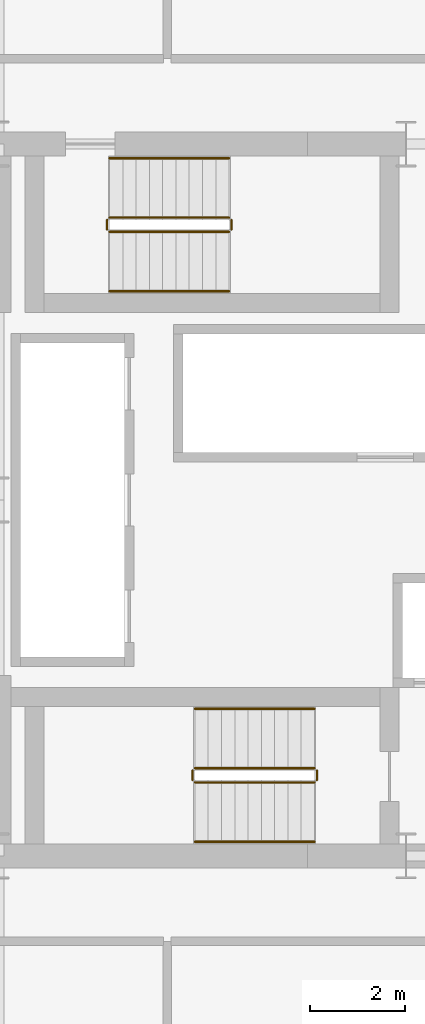
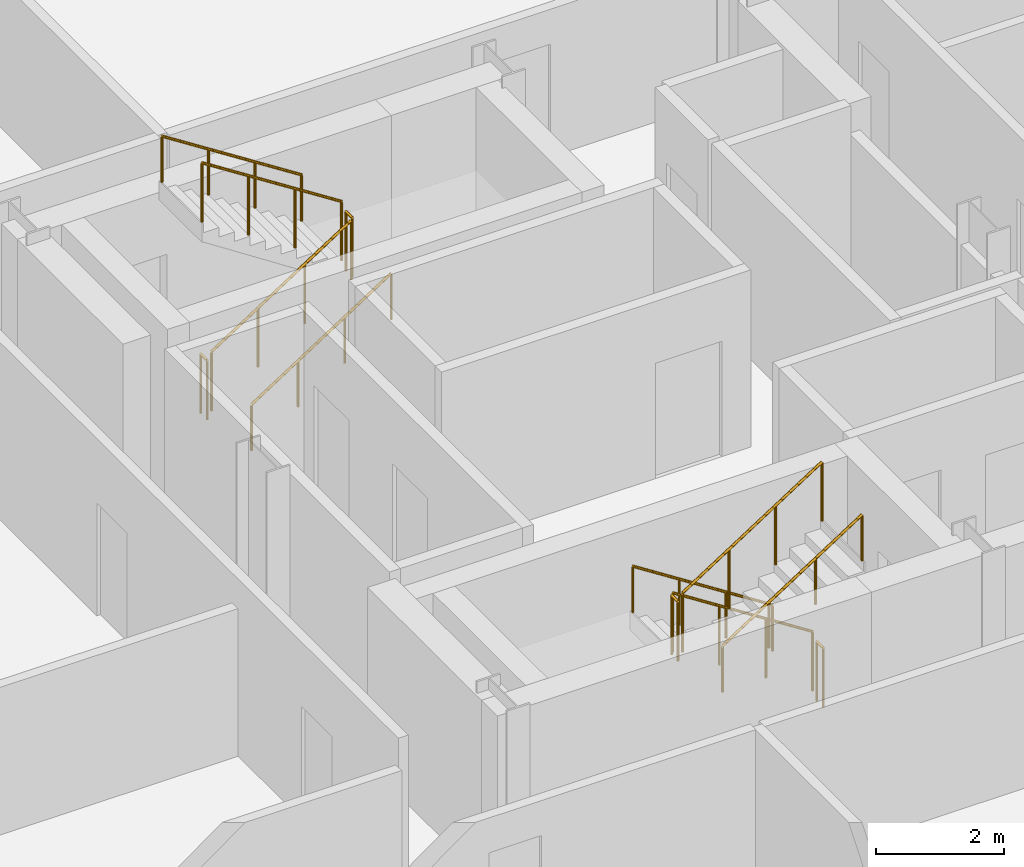
# One storey, part 25 of 26: 12 railings.
"""IFC4 building model written with IfcOpenShell, lengths in metres."""

from ifc_helpers import new_model, si_unit, direction, frame, origin, origin_2d, place, context, subcontext, project, spatial, circle, extrude, material, type_object, element, save


model = new_model("IFC4")

# Units and contexts
model_context = context("Model", 3, precision=1e-05, world=origin(), true_north=direction((0.0, 1.0)))
body_context = subcontext(model_context, "Body", "Model", "MODEL_VIEW")
ifc_project = project(units=[si_unit("LENGTHUNIT", "METRE"), si_unit("AREAUNIT", "SQUARE_METRE"), si_unit("VOLUMEUNIT", "CUBIC_METRE"), si_unit("PLANEANGLEUNIT", "RADIAN"), si_unit("MASSUNIT", "GRAM", prefix="KILO")], contexts=[model_context])

# Site, building, storey
site_placement = place(None, origin())
site = spatial("IfcSite", under=ifc_project, at=site_placement, CompositionType="ELEMENT")
building_placement = place(site_placement, origin())
building = spatial("IfcBuilding", under=site, at=building_placement, Name="Barlavira Tower and Art Museum", CompositionType="ELEMENT")
storey_placement = place(building_placement, frame((0.0, 0.0, 82.800048828125)))
storey = spatial("IfcBuildingStorey", under=building, at=storey_placement, Name="L20", CompositionType="ELEMENT", Elevation=82.800048828125)

# Railings
ifc_material = material(Name="Brushed stainless steel", Category="steel")
railing_type_1 = type_object("IfcRailingType", Name="Interior Void and Landing Guard Railing 1150", PredefinedType="GUARDRAIL", material=ifc_material)
railing_1_placement = place(storey_placement, frame((0.14990234375, -5.64990234375, 0.179931640625)))
element("IfcRailing", 1, at=railing_1_placement, inside=storey, type_object=railing_type_1, Name="L20 ST-T1 stair guard 1", PredefinedType="GUARDRAIL", context=body_context, shape_type="SweptSolid", body=[
    extrude(circle(Radius=0.02392578125, at=origin_2d()), frame((0.0, 0.0, 1.1259765625), z_axis=(-0.841162588446, 0.0, 0.540782303519), x_axis=(0.0, -1.0, 0.0)), (0.0, 0.0, 1.0), 2.995849609375),
    extrude(circle(Radius=0.02099609375, at=origin_2d()), origin(), (0.0, 0.0, 1.0), 1.101806640625),
    extrude(circle(Radius=0.02099609375, at=origin_2d()), frame((-0.840087890625, 0.0, 0.5400390625)), (0.0, 0.0, 1.0), 1.101806640625),
    extrude(circle(Radius=0.02099609375, at=origin_2d()), frame((-1.679931640625, 0.0, 1.080078125)), (0.0, 0.0, 1.0), 1.101806640625),
    extrude(circle(Radius=0.02099609375, at=origin_2d()), frame((-2.52001953125, 0.0, 1.6201171875)), (0.0, 0.0, 1.0), 1.101806640625),
])
railing_2_placement = place(storey_placement, frame((-2.419921875, -5.699951171875, 1.800048828125)))
element("IfcRailing", 2, at=railing_2_placement, inside=storey, type_object=railing_type_1, Name="L20 ST-T1 stair guard 2", PredefinedType="GUARDRAIL", context=body_context, shape_type="SweptSolid", body=[
    extrude(circle(Radius=0.02392578125, at=origin_2d()), frame((0.0, 0.0, 1.1259765625), z_axis=(0.0, -1.0, 0.0), x_axis=(1.0, 0.0, 0.0)), (0.0, 0.0, 1.0), 0.199951171875),
    extrude(circle(Radius=0.02099609375, at=origin_2d()), origin(), (0.0, 0.0, 1.0), 1.101806640625),
    extrude(circle(Radius=0.02099609375, at=origin_2d()), frame((0.0, -0.199951171875, 0.0)), (0.0, 0.0, 1.0), 1.101806640625),
])
railing_3_placement = place(storey_placement, frame((-2.3701171875, -5.949951171875, 1.97998046875)))
element("IfcRailing", 3, at=railing_3_placement, inside=storey, type_object=railing_type_1, Name="L20 ST-T1 stair guard 3", PredefinedType="GUARDRAIL", context=body_context, shape_type="SweptSolid", body=[
    extrude(circle(Radius=0.02392578125, at=origin_2d()), frame((0.0, 0.0, 1.1259765625), z_axis=(0.841199657755, 0.0, 0.540724639528), x_axis=(0.0, 1.0, 0.0)), (0.0, 0.0, 1.0), 2.995849609375),
    extrude(circle(Radius=0.02099609375, at=origin_2d()), origin(), (0.0, 0.0, 1.0), 1.101806640625),
    extrude(circle(Radius=0.02099609375, at=origin_2d()), frame((0.840087890625, 0.0, 0.5400390625)), (0.0, 0.0, 1.0), 1.101806640625),
    extrude(circle(Radius=0.02099609375, at=origin_2d()), frame((1.679931640625, 0.0, 1.079833984375)), (0.0, 0.0, 1.0), 1.101806640625),
    extrude(circle(Radius=0.02099609375, at=origin_2d()), frame((2.52001953125, 0.0, 1.619873046875)), (0.0, 0.0, 1.0), 1.101806640625),
])
railing_4_placement = place(storey_placement, frame((0.199951171875, -5.699951171875, 0.0)))
element("IfcRailing", 4, at=railing_4_placement, inside=storey, type_object=railing_type_1, Name="L20 ST-T1 stair guard 4", PredefinedType="GUARDRAIL", context=body_context, shape_type="SweptSolid", body=[
    extrude(circle(Radius=0.02392578125, at=origin_2d()), frame((0.0, 0.0, 1.1259765625), z_axis=(0.0, -1.0, 0.0), x_axis=(1.0, 0.0, 0.0)), (0.0, 0.0, 1.0), 0.199951171875),
    extrude(circle(Radius=0.02099609375, at=origin_2d()), origin(), (0.0, 0.0, 1.0), 1.101806640625),
    extrude(circle(Radius=0.02099609375, at=origin_2d()), frame((0.0, -0.199951171875, 0.0)), (0.0, 0.0, 1.0), 1.101806640625),
])
railing_5_placement = place(storey_placement, frame((-4.169921875, 5.64990234375, 0.179931640625)))
element("IfcRailing", 5, at=railing_5_placement, inside=storey, type_object=railing_type_1, Name="L20 ST-T2 stair guard 1", PredefinedType="GUARDRAIL", context=body_context, shape_type="SweptSolid", body=[
    extrude(circle(Radius=0.02392578125, at=origin_2d()), frame((0.0, 0.0, 1.1259765625), z_axis=(0.841162588446, 0.0, 0.540782303519), x_axis=(0.0, 1.0, 0.0)), (0.0, 0.0, 1.0), 2.995849609375),
    extrude(circle(Radius=0.02099609375, at=origin_2d()), origin(), (0.0, 0.0, 1.0), 1.101806640625),
    extrude(circle(Radius=0.02099609375, at=origin_2d()), frame((0.840087890625, 0.0, 0.5400390625)), (0.0, 0.0, 1.0), 1.101806640625),
    extrude(circle(Radius=0.02099609375, at=origin_2d()), frame((1.679931640625, 0.0, 1.080078125)), (0.0, 0.0, 1.0), 1.101806640625),
    extrude(circle(Radius=0.02099609375, at=origin_2d()), frame((2.52001953125, 0.0, 1.6201171875)), (0.0, 0.0, 1.0), 1.101806640625),
])
railing_6_placement = place(storey_placement, frame((-1.60009765625, 5.699951171875, 1.800048828125)))
element("IfcRailing", 6, at=railing_6_placement, inside=storey, type_object=railing_type_1, Name="L20 ST-T2 stair guard 2", PredefinedType="GUARDRAIL", context=body_context, shape_type="SweptSolid", body=[
    extrude(circle(Radius=0.02392578125, at=origin_2d()), frame((0.0, 0.0, 1.1259765625), z_axis=(0.0, 1.0, 0.0), x_axis=(-1.0, 0.0, 0.0)), (0.0, 0.0, 1.0), 0.199951171875),
    extrude(circle(Radius=0.02099609375, at=origin_2d()), origin(), (0.0, 0.0, 1.0), 1.101806640625),
    extrude(circle(Radius=0.02099609375, at=origin_2d()), frame((0.0, 0.199951171875, 0.0)), (0.0, 0.0, 1.0), 1.101806640625),
])
railing_7_placement = place(storey_placement, frame((-1.64990234375, 5.949951171875, 1.97998046875)))
element("IfcRailing", 7, at=railing_7_placement, inside=storey, type_object=railing_type_1, Name="L20 ST-T2 stair guard 3", PredefinedType="GUARDRAIL", context=body_context, shape_type="SweptSolid", body=[
    extrude(circle(Radius=0.02392578125, at=origin_2d()), frame((0.0, 0.0, 1.1259765625), z_axis=(-0.841199657755, 0.0, 0.540724639528), x_axis=(0.0, -1.0, 0.0)), (0.0, 0.0, 1.0), 2.995849609375),
    extrude(circle(Radius=0.02099609375, at=origin_2d()), origin(), (0.0, 0.0, 1.0), 1.101806640625),
    extrude(circle(Radius=0.02099609375, at=origin_2d()), frame((-0.840087890625, 0.0, 0.5400390625)), (0.0, 0.0, 1.0), 1.101806640625),
    extrude(circle(Radius=0.02099609375, at=origin_2d()), frame((-1.679931640625, 0.0, 1.079833984375)), (0.0, 0.0, 1.0), 1.101806640625),
    extrude(circle(Radius=0.02099609375, at=origin_2d()), frame((-2.52001953125, 0.0, 1.619873046875)), (0.0, 0.0, 1.0), 1.101806640625),
])
railing_8_placement = place(storey_placement, frame((-4.219970703125, 5.699951171875, 0.0)))
element("IfcRailing", 8, at=railing_8_placement, inside=storey, type_object=railing_type_1, Name="L20 ST-T2 stair guard 4", PredefinedType="GUARDRAIL", context=body_context, shape_type="SweptSolid", body=[
    extrude(circle(Radius=0.02392578125, at=origin_2d()), frame((0.0, 0.0, 1.1259765625), z_axis=(0.0, 1.0, 0.0), x_axis=(-1.0, 0.0, 0.0)), (0.0, 0.0, 1.0), 0.199951171875),
    extrude(circle(Radius=0.02099609375, at=origin_2d()), origin(), (0.0, 0.0, 1.0), 1.101806640625),
    extrude(circle(Radius=0.02099609375, at=origin_2d()), frame((0.0, 0.199951171875, 0.0)), (0.0, 0.0, 1.0), 1.101806640625),
])
railing_type_2 = type_object("IfcRailingType", Name="Stair Pitch Tubular Steel Handrail 920", PredefinedType="HANDRAIL", material=ifc_material)
railing_9_placement = place(storey_placement, frame((0.14990234375, -4.39990234375, 0.179931640625)))
element("IfcRailing", 9, at=railing_9_placement, inside=storey, type_object=railing_type_2, Name="L20 ST-T1 stair handrail 1", PredefinedType="HANDRAIL", context=body_context, shape_type="SweptSolid", body=[
    extrude(circle(Radius=0.02392578125, at=origin_2d()), frame((0.0, 0.0, 0.8759765625), z_axis=(-0.841162588446, 0.0, 0.540782303519), x_axis=(0.0, -1.0, 0.0)), (0.0, 0.0, 1.0), 2.995849609375),
    extrude(circle(Radius=0.02099609375, at=origin_2d()), origin(), (0.0, 0.0, 1.0), 0.851806640625),
    extrude(circle(Radius=0.02099609375, at=origin_2d()), frame((-0.840087890625, 0.0, 0.5400390625)), (0.0, 0.0, 1.0), 0.851806640625),
    extrude(circle(Radius=0.02099609375, at=origin_2d()), frame((-1.679931640625, 0.0, 1.080078125)), (0.0, 0.0, 1.0), 0.851806640625),
    extrude(circle(Radius=0.02099609375, at=origin_2d()), frame((-2.52001953125, 0.0, 1.6201171875)), (0.0, 0.0, 1.0), 0.851806640625),
])
railing_10_placement = place(storey_placement, frame((-2.3701171875, -7.199951171875, 1.97998046875)))
element("IfcRailing", 10, at=railing_10_placement, inside=storey, type_object=railing_type_2, Name="L20 ST-T1 stair handrail 2", PredefinedType="HANDRAIL", context=body_context, shape_type="SweptSolid", body=[
    extrude(circle(Radius=0.02392578125, at=origin_2d()), frame((0.0, 0.0, 0.8759765625), z_axis=(0.841199657755, 0.0, 0.540724639528), x_axis=(0.0, 1.0, 0.0)), (0.0, 0.0, 1.0), 2.995849609375),
    extrude(circle(Radius=0.02099609375, at=origin_2d()), origin(), (0.0, 0.0, 1.0), 0.851806640625),
    extrude(circle(Radius=0.02099609375, at=origin_2d()), frame((0.840087890625, 0.0, 0.5400390625)), (0.0, 0.0, 1.0), 0.851806640625),
    extrude(circle(Radius=0.02099609375, at=origin_2d()), frame((1.679931640625, 0.0, 1.079833984375)), (0.0, 0.0, 1.0), 0.851806640625),
    extrude(circle(Radius=0.02099609375, at=origin_2d()), frame((2.52001953125, 0.0, 1.619873046875)), (0.0, 0.0, 1.0), 0.851806640625),
])
railing_11_placement = place(storey_placement, frame((-4.169921875, 4.39990234375, 0.179931640625)))
element("IfcRailing", 11, at=railing_11_placement, inside=storey, type_object=railing_type_2, Name="L20 ST-T2 stair handrail 1", PredefinedType="HANDRAIL", context=body_context, shape_type="SweptSolid", body=[
    extrude(circle(Radius=0.02392578125, at=origin_2d()), frame((0.0, 0.0, 0.8759765625), z_axis=(0.841162588446, 0.0, 0.540782303519), x_axis=(0.0, 1.0, 0.0)), (0.0, 0.0, 1.0), 2.995849609375),
    extrude(circle(Radius=0.02099609375, at=origin_2d()), origin(), (0.0, 0.0, 1.0), 0.851806640625),
    extrude(circle(Radius=0.02099609375, at=origin_2d()), frame((0.840087890625, 0.0, 0.5400390625)), (0.0, 0.0, 1.0), 0.851806640625),
    extrude(circle(Radius=0.02099609375, at=origin_2d()), frame((1.679931640625, 0.0, 1.080078125)), (0.0, 0.0, 1.0), 0.851806640625),
    extrude(circle(Radius=0.02099609375, at=origin_2d()), frame((2.52001953125, 0.0, 1.6201171875)), (0.0, 0.0, 1.0), 0.851806640625),
])
railing_12_placement = place(storey_placement, frame((-1.64990234375, 7.199951171875, 1.97998046875)))
element("IfcRailing", 12, at=railing_12_placement, inside=storey, type_object=railing_type_2, Name="L20 ST-T2 stair handrail 2", PredefinedType="HANDRAIL", context=body_context, shape_type="SweptSolid", body=[
    extrude(circle(Radius=0.02392578125, at=origin_2d()), frame((0.0, 0.0, 0.8759765625), z_axis=(-0.841199657755, 0.0, 0.540724639528), x_axis=(0.0, -1.0, 0.0)), (0.0, 0.0, 1.0), 2.995849609375),
    extrude(circle(Radius=0.02099609375, at=origin_2d()), origin(), (0.0, 0.0, 1.0), 0.851806640625),
    extrude(circle(Radius=0.02099609375, at=origin_2d()), frame((-0.840087890625, 0.0, 0.5400390625)), (0.0, 0.0, 1.0), 0.851806640625),
    extrude(circle(Radius=0.02099609375, at=origin_2d()), frame((-1.679931640625, 0.0, 1.079833984375)), (0.0, 0.0, 1.0), 0.851806640625),
    extrude(circle(Radius=0.02099609375, at=origin_2d()), frame((-2.52001953125, 0.0, 1.619873046875)), (0.0, 0.0, 1.0), 0.851806640625),
])

save(model, "model.ifc")
